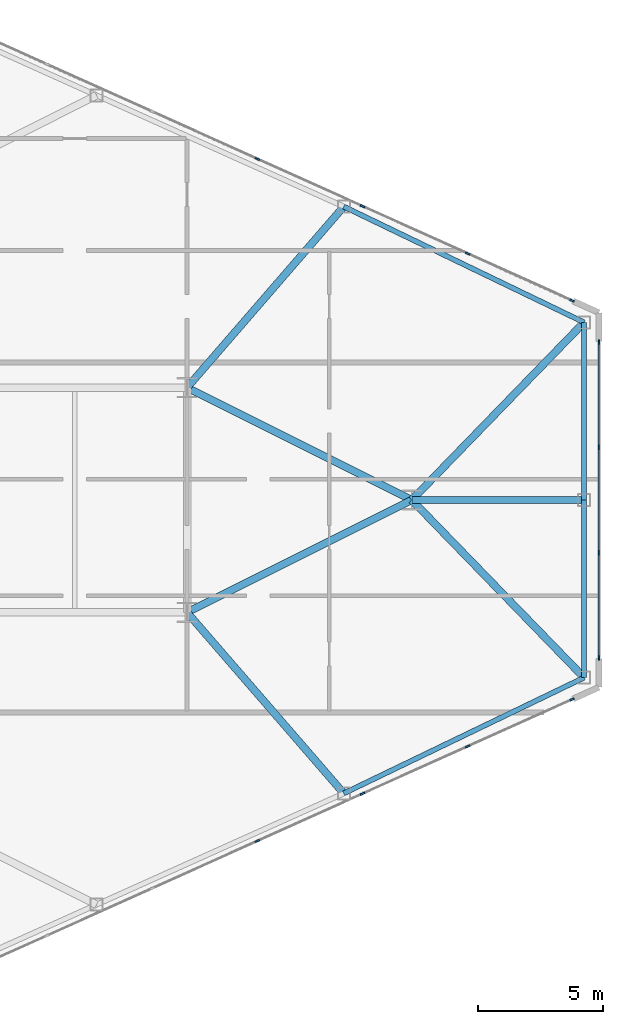
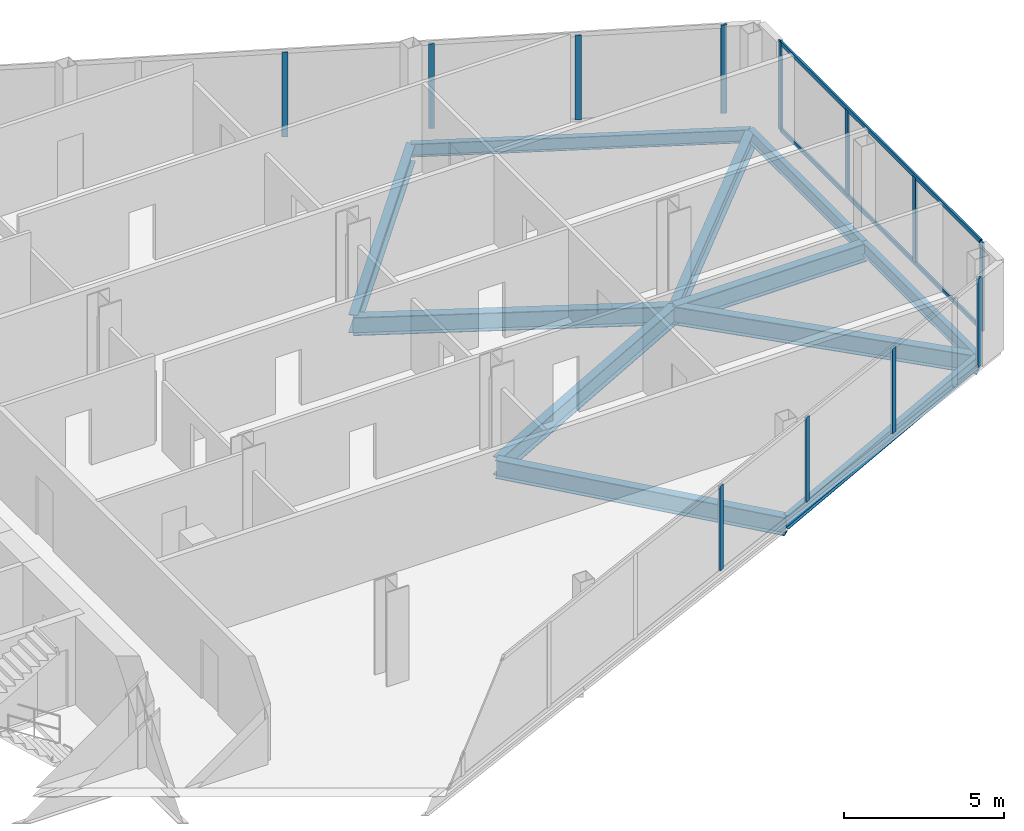
# One storey, part 16 of 27: 14 members, 11 beams, 3 elements without a shape of their own.
"""IFC4 building model written with IfcOpenShell, lengths in metres."""

from ifc_helpers import new_model, si_unit, direction, frame, origin, origin_2d, place, context, subcontext, project, spatial, rectangle, i_section, extrude, source, transform, mapped, material, layer, layer_set, material_profile, profile_set, type_object, type_shapes, element, aggregate, save


model = new_model("IFC4")

# Units and contexts
model_context = context("Model", 3, precision=1e-05, world=origin(), true_north=direction((0.0, 1.0)))
body_context = subcontext(model_context, "Body", "Model", "MODEL_VIEW")
ifc_project = project(units=[si_unit("LENGTHUNIT", "METRE"), si_unit("AREAUNIT", "SQUARE_METRE"), si_unit("VOLUMEUNIT", "CUBIC_METRE"), si_unit("PLANEANGLEUNIT", "RADIAN"), si_unit("MASSUNIT", "GRAM", prefix="KILO")], contexts=[model_context])

# Site, building, storey
site_placement = place(None, origin())
site = spatial("IfcSite", under=ifc_project, at=site_placement, CompositionType="ELEMENT")
building_placement = place(site_placement, origin())
building = spatial("IfcBuilding", under=site, at=building_placement, Name="Seokmaru Belvedere", CompositionType="ELEMENT")
storey_placement = place(building_placement, frame((0.0, 0.0, 76.5)))
storey = spatial("IfcBuildingStorey", under=building, at=storey_placement, Name="L20", CompositionType="ELEMENT", Elevation=76.5)

# Beams
ifc_material_1 = material(Name="Steel SM355 (355 MPa)", Category="steel")
ifc_material_profile_1 = material_profile(ifc_material_1, i_section(OverallWidth=0.300048828125, OverallDepth=0.699951171875, WebThickness=0.012939453125, FlangeThickness=0.02392578125, at=origin_2d()), Name="H-700x300x13x24")
ifc_profile_set_1 = profile_set([ifc_material_profile_1], Name="Steel SM355 (355 MPa)")
beam_type_1 = type_object("IfcBeamType", Name="Primary Floor Girder H-700", PredefinedType="BEAM", material=ifc_profile_set_1)
shared_shape_1 = source(origin(), body_context, "Body", "SweptSolid", [
    extrude(i_section(OverallWidth=0.300048828125, OverallDepth=0.699951171875, WebThickness=0.012939453125, FlangeThickness=0.02392578125, at=origin_2d()), origin(), (0.0, 0.0, 1.0), 10.062255859375),
])
for number, where, z_axis, x_axis, name in (
    (1, (54.5, -4.5, -0.570068359375), (0.894427191, 0.4472135955, 0.0), (-0.4472135955, 0.894427191, 0.0), "L20 E Apex Converging Girder 1"),
    (2, (54.5, 4.5, -0.570068359375), (0.894427191, -0.4472135955, 0.0), (0.4472135955, 0.894427191, 0.0), "L20 E Apex Converging Girder 2"),
):
    element("IfcBeam", number, at=place(storey_placement, frame(where, z_axis=z_axis, x_axis=x_axis)), inside=storey, type_object=beam_type_1, Name=name, PredefinedType="BEAM", context=body_context, shape_type="MappedRepresentation", body=[
        mapped(shared_shape_1, transform((0.0, 0.0, 0.0), scale=1.0)),
    ])
ifc_material_profile_2 = material_profile(ifc_material_1, i_section(OverallWidth=0.199951171875, OverallDepth=0.5, WebThickness=0.010009765625, FlangeThickness=0.01611328125, at=origin_2d()), Name="H-500x200x10x16")
ifc_profile_set_2 = profile_set([ifc_material_profile_2], Name="Steel SM355 (355 MPa)")
beam_type_2 = type_object("IfcBeamType", Name="Perimeter Spandrel Beam H-500", PredefinedType="SPANDREL", material=ifc_profile_set_2)
shared_shape_2 = source(origin(), body_context, "Body", "SweptSolid", [
    extrude(i_section(OverallWidth=0.199951171875, OverallDepth=0.5, WebThickness=0.010009765625, FlangeThickness=0.01611328125, at=origin_2d()), origin(), (0.0, 0.0, 1.0), 10.681396484375),
])
for number, where, z_axis, x_axis, name in (
    (3, (60.777587890625, -11.749267578125, -0.469970703125), (0.900846426616, 0.434137899352, 0.0), (-0.434137899352, 0.900846426616, 0.0), "L20 E Faceted Flank Spandrel S-4"),
    (4, (60.777587890625, 11.749267578125, -0.469970703125), (0.900846426616, -0.434137899352, 0.0), (0.434137899352, 0.900846426616, 0.0), "L20 E Faceted Flank Spandrel N-4"),
):
    element("IfcBeam", number, at=place(storey_placement, frame(where, z_axis=z_axis, x_axis=x_axis)), inside=storey, type_object=beam_type_2, Name=name, PredefinedType="SPANDREL", context=body_context, shape_type="MappedRepresentation", body=[
        mapped(shared_shape_2, transform((0.0, 0.0, 0.0), scale=1.0)),
    ])
shared_shape_3 = source(origin(), body_context, "Body", "SweptSolid", [
    extrude(i_section(OverallWidth=0.199951171875, OverallDepth=0.5, WebThickness=0.010009765625, FlangeThickness=0.01611328125, at=origin_2d()), origin(), (0.0, 0.0, 1.0), 7.112060546875),
])
type_shapes(beam_type_2, [shared_shape_2, shared_shape_3])
for number, where, z_axis, x_axis, name in (
    (5, (70.39990234375, -7.112060546875, -0.469970703125), (0.0, 1.0, 0.0), (-1.0, 0.0, 0.0), "L20 E Faceted Apex Spandrel S"),
    (6, (70.39990234375, 0.0, -0.469970703125), (0.0, 1.0, 0.0), (-1.0, 0.0, 0.0), "L20 E Faceted Apex Spandrel N"),
):
    element("IfcBeam", number, at=place(storey_placement, frame(where, z_axis=z_axis, x_axis=x_axis)), inside=storey, type_object=beam_type_2, Name=name, PredefinedType="SPANDREL", context=body_context, shape_type="MappedRepresentation", body=[
        mapped(shared_shape_3, transform((0.0, 0.0, 0.0), scale=1.0)),
    ])
shared_shape_4 = source(origin(), body_context, "Body", "SweptSolid", [
    extrude(i_section(OverallWidth=0.300048828125, OverallDepth=0.699951171875, WebThickness=0.012939453125, FlangeThickness=0.02392578125, at=origin_2d()), origin(), (0.0, 0.0, 1.0), 9.589599609375),
])
for number, where, z_axis, x_axis, name in (
    (7, (60.777587890625, -11.749267578125, -0.570068359375), (-0.654626140929, 0.755952786629, 0.0), (-0.755952786629, -0.654626140929, 0.0), "L20 E Flank Radial Floor Girder S-3"),
    (8, (60.777587890625, 11.749267578125, -0.570068359375), (-0.654626140929, -0.755952786629, 0.0), (0.755952786629, -0.654626140929, 0.0), "L20 E Flank Radial Floor Girder N-3"),
):
    element("IfcBeam", number, at=place(storey_placement, frame(where, z_axis=z_axis, x_axis=x_axis)), inside=storey, type_object=beam_type_1, Name=name, PredefinedType="BEAM", context=body_context, shape_type="MappedRepresentation", body=[
        mapped(shared_shape_4, transform((0.0, 0.0, 0.0), scale=1.0)),
    ])
shared_shape_5 = source(origin(), body_context, "Body", "SweptSolid", [
    extrude(i_section(OverallWidth=0.300048828125, OverallDepth=0.699951171875, WebThickness=0.012939453125, FlangeThickness=0.02392578125, at=origin_2d()), origin(), (0.0, 0.0, 1.0), 9.9091796875),
])
for number, where, z_axis, x_axis, name in (
    (9, (70.39990234375, -7.112060546875, -0.570068359375), (-0.6963205089, 0.717730972499, 0.0), (-0.717730972499, -0.6963205089, 0.0), "L20 E Apex Radial Floor Girder 1"),
    (10, (70.39990234375, 7.112060546875, -0.570068359375), (-0.6963205089, -0.717730972499, 0.0), (0.717730972499, -0.6963205089, 0.0), "L20 E Apex Radial Floor Girder 2"),
):
    element("IfcBeam", number, at=place(storey_placement, frame(where, z_axis=z_axis, x_axis=x_axis)), inside=storey, type_object=beam_type_1, Name=name, PredefinedType="BEAM", context=body_context, shape_type="MappedRepresentation", body=[
        mapped(shared_shape_5, transform((0.0, 0.0, 0.0), scale=1.0)),
    ])
shared_shape_6 = source(origin(), body_context, "Body", "SweptSolid", [
    extrude(i_section(OverallWidth=0.300048828125, OverallDepth=0.699951171875, WebThickness=0.012939453125, FlangeThickness=0.02392578125, at=origin_2d()), origin(), (0.0, 0.0, 1.0), 6.89990234375),
])
type_shapes(beam_type_1, [shared_shape_1, shared_shape_4, shared_shape_5, shared_shape_6])
beam_placement = place(storey_placement, frame((70.39990234375, 0.0, -0.570068359375), z_axis=(-1.0, 0.0, 0.0), x_axis=(0.0, -1.0, 0.0)))
element("IfcBeam", 11, at=beam_placement, inside=storey, type_object=beam_type_1, Name="L20 E Apex Center Radial Girder", PredefinedType="BEAM", context=body_context, shape_type="MappedRepresentation", body=[
    mapped(shared_shape_6, transform((0.0, 0.0, 0.0), scale=1.0)),
])

# Curtain wall, member
ifc_material_2 = material(Name="Bronze Triple Insulating Glass", Category="glass")
ifc_layer = layer(ifc_material_2, 0.195068359375)
ifc_layer_set = layer_set([ifc_layer], Name="Bronze Triple Insulating Glass")
curtain_wall_type = type_object("IfcCurtainWallType", Name="Lower-Mid Tapered Curtain Wall System CW-3", PredefinedType="NOTDEFINED", material=ifc_layer_set)
curtain_wall_1_placement = place(storey_placement, origin())
curtain_wall_1 = element("IfcCurtainWall", 12, at=curtain_wall_1_placement, inside=storey, type_object=curtain_wall_type, Name="L20 Curtain Wall EF1", PredefinedType="NOTDEFINED")
ifc_material_3 = material(Name="Anodised Bronze Aluminium", Category="aluminium")
ifc_material_profile_3 = material_profile(ifc_material_3, rectangle(XDim=0.070068359375, YDim=0.195068359375, at=origin_2d()), Name="CW-M-70x195")
ifc_profile_set_3 = profile_set([ifc_material_profile_3], Name="Anodised Bronze Aluminium")
member_type_1 = type_object("IfcMemberType", Name="Bronze Unitised Mullion 70x195", PredefinedType="MULLION", material=ifc_profile_set_3)
shared_shape_7 = source(origin(), body_context, "Body", "SweptSolid", [
    extrude(rectangle(XDim=0.070068359375, YDim=0.195068359375, at=origin_2d()), origin(), (0.0, 0.0, 1.0), 3.3798828125),
])
member_1_placement = place(storey_placement, frame((69.91943359375, -7.986328125, 0.0), z_axis=(0.0, 0.0, 1.0), x_axis=(-0.41036554765, 0.91192111353, 0.0)))
member_1 = element("IfcMember", 13, at=member_1_placement, type_object=member_type_1, Name="CW:L20:EF1 Mullion 10", PredefinedType="MULLION", context=body_context, shape_type="MappedRepresentation", body=[
    mapped(shared_shape_7, transform((0.0, 0.0, 0.0), scale=1.0)),
])

# Curtain wall, members
curtain_wall_2_placement = place(storey_placement, origin())
curtain_wall_2 = element("IfcCurtainWall", 14, at=curtain_wall_2_placement, inside=storey, type_object=curtain_wall_type, Name="L20 Curtain Wall EF2", PredefinedType="NOTDEFINED")
member_2_placement = place(storey_placement, frame((71.0, -6.31494140625, 0.0), z_axis=(0.0, 0.0, 1.0), x_axis=(-1.0, 0.0, 0.0)))
member_2 = element("IfcMember", 15, at=member_2_placement, type_object=member_type_1, Name="CW:L20:EF2 Mullion 1", PredefinedType="MULLION", context=body_context, shape_type="MappedRepresentation", body=[
    mapped(shared_shape_7, transform((0.0, 0.0, 0.0), scale=1.0)),
])
member_3_placement = place(storey_placement, frame((71.0, 6.31494140625, 0.0), z_axis=(0.0, 0.0, 1.0), x_axis=(-1.0, 0.0, 0.0)))
member_3 = element("IfcMember", 16, at=member_3_placement, type_object=member_type_1, Name="CW:L20:EF2 Mullion 4", PredefinedType="MULLION", context=body_context, shape_type="MappedRepresentation", body=[
    mapped(shared_shape_7, transform((0.0, 0.0, 0.0), scale=1.0)),
])

# Curtain wall, member
curtain_wall_3_placement = place(storey_placement, origin())
curtain_wall_3 = element("IfcCurtainWall", 17, at=curtain_wall_3_placement, inside=storey, type_object=curtain_wall_type, Name="L20 Curtain Wall EF3", PredefinedType="NOTDEFINED")
member_4_placement = place(storey_placement, frame((69.91943359375, 7.986328125, 0.0), z_axis=(0.0, 0.0, 1.0), x_axis=(-0.41036554765, -0.91192111353, 0.0)))
member_4 = element("IfcMember", 18, at=member_4_placement, type_object=member_type_1, Name="CW:L20:EF3 Mullion 1", PredefinedType="MULLION", context=body_context, shape_type="MappedRepresentation", body=[
    mapped(shared_shape_7, transform((0.0, 0.0, 0.0), scale=1.0)),
])

# Member
shared_shape_8 = source(origin(), body_context, "Body", "SweptSolid", [
    extrude(rectangle(XDim=0.070068359375, YDim=0.195068359375, at=origin_2d()), origin(), (0.0, 0.0, 1.0), 3.239990234375),
])
type_shapes(member_type_1, [shared_shape_7, shared_shape_8])
member_5_placement = place(storey_placement, frame((57.317138671875, -13.6572265625, 0.070068359375), z_axis=(0.0, 0.0, 1.0), x_axis=(-0.41036554765, 0.91192111353, 0.0)))
member_5 = element("IfcMember", 19, at=member_5_placement, type_object=member_type_1, Name="CW:L20:EF1 Mullion 7", PredefinedType="MULLION", context=body_context, shape_type="MappedRepresentation", body=[
    mapped(shared_shape_8, transform((0.0, 0.0, 0.0), scale=1.0)),
])

member_6_placement = place(storey_placement, frame((61.528564453125, -11.76220703125, 0.070068359375), z_axis=(0.0, 0.0, 1.0), x_axis=(-0.41036554765, 0.91192111353, 0.0)))
member_6 = element("IfcMember", 20, at=member_6_placement, type_object=member_type_1, Name="CW:L20:EF1 Mullion 8", PredefinedType="MULLION", context=body_context, shape_type="MappedRepresentation", body=[
    mapped(shared_shape_8, transform((0.0, 0.0, 0.0), scale=1.0)),
])

member_7_placement = place(storey_placement, frame((65.739990234375, -9.866943359375, 0.070068359375), z_axis=(0.0, 0.0, 1.0), x_axis=(-0.41036554765, 0.91192111353, 0.0)))
member_7 = element("IfcMember", 21, at=member_7_placement, type_object=member_type_1, Name="CW:L20:EF1 Mullion 9", PredefinedType="MULLION", context=body_context, shape_type="MappedRepresentation", body=[
    mapped(shared_shape_8, transform((0.0, 0.0, 0.0), scale=1.0)),
])

aggregate(curtain_wall_1, [member_5, member_6, member_7, member_1])

member_8_placement = place(storey_placement, frame((71.0, -2.11669921875, 0.070068359375), z_axis=(0.0, 0.0, 1.0), x_axis=(-1.0, 0.0, 0.0)))
member_8 = element("IfcMember", 22, at=member_8_placement, type_object=member_type_1, Name="CW:L20:EF2 Mullion 2", PredefinedType="MULLION", context=body_context, shape_type="MappedRepresentation", body=[
    mapped(shared_shape_8, transform((0.0, 0.0, 0.0), scale=1.0)),
])

member_9_placement = place(storey_placement, frame((71.0, 2.11669921875, 0.070068359375), z_axis=(0.0, 0.0, 1.0), x_axis=(-1.0, 0.0, 0.0)))
member_9 = element("IfcMember", 23, at=member_9_placement, type_object=member_type_1, Name="CW:L20:EF2 Mullion 3", PredefinedType="MULLION", context=body_context, shape_type="MappedRepresentation", body=[
    mapped(shared_shape_8, transform((0.0, 0.0, 0.0), scale=1.0)),
])

member_10_placement = place(storey_placement, frame((65.739990234375, 9.866943359375, 0.070068359375), z_axis=(0.0, 0.0, 1.0), x_axis=(-0.41036554765, -0.91192111353, 0.0)))
member_10 = element("IfcMember", 24, at=member_10_placement, type_object=member_type_1, Name="CW:L20:EF3 Mullion 2", PredefinedType="MULLION", context=body_context, shape_type="MappedRepresentation", body=[
    mapped(shared_shape_8, transform((0.0, 0.0, 0.0), scale=1.0)),
])

member_11_placement = place(storey_placement, frame((61.528564453125, 11.76220703125, 0.070068359375), z_axis=(0.0, 0.0, 1.0), x_axis=(-0.41036554765, -0.91192111353, 0.0)))
member_11 = element("IfcMember", 25, at=member_11_placement, type_object=member_type_1, Name="CW:L20:EF3 Mullion 3", PredefinedType="MULLION", context=body_context, shape_type="MappedRepresentation", body=[
    mapped(shared_shape_8, transform((0.0, 0.0, 0.0), scale=1.0)),
])

member_12_placement = place(storey_placement, frame((57.317138671875, 13.6572265625, 0.070068359375), z_axis=(0.0, 0.0, 1.0), x_axis=(-0.41036554765, -0.91192111353, 0.0)))
member_12 = element("IfcMember", 26, at=member_12_placement, type_object=member_type_1, Name="CW:L20:EF3 Mullion 4", PredefinedType="MULLION", context=body_context, shape_type="MappedRepresentation", body=[
    mapped(shared_shape_8, transform((0.0, 0.0, 0.0), scale=1.0)),
])

aggregate(curtain_wall_3, [member_4, member_10, member_11, member_12])

ifc_material_profile_4 = material_profile(ifc_material_3, rectangle(XDim=0.070068359375, YDim=0.1650390625, at=origin_2d()), Name="CW-T-70x165")
ifc_profile_set_4 = profile_set([ifc_material_profile_4], Name="Anodised Bronze Aluminium")
member_type_2 = type_object("IfcMemberType", Name="Bronze Unitised Transom 70x165", PredefinedType="USERDEFINED", material=ifc_profile_set_4)
shared_shape_9 = source(origin(), body_context, "Body", "SweptSolid", [
    extrude(rectangle(XDim=0.070068359375, YDim=0.1650390625, at=origin_2d()), origin(), (0.0, 0.0, 1.0), 12.56005859375),
])
type_shapes(member_type_2, [shared_shape_9])
member_13_placement = place(storey_placement, frame((71.0, -6.280029296875, 0.034912109375), z_axis=(0.0, 1.0, 0.0), x_axis=(-1.0, 0.0, 0.0)))
member_13 = element("IfcMember", 27, at=member_13_placement, type_object=member_type_2, Name="CW:L20:EF2 Continuous Transom 1", ObjectType="TRANSOM", PredefinedType="USERDEFINED", context=body_context, shape_type="MappedRepresentation", body=[
    mapped(shared_shape_9, transform((0.0, 0.0, 0.0), scale=1.0)),
])

member_14_placement = place(storey_placement, frame((71.0, -6.280029296875, 3.344970703125), z_axis=(0.0, 1.0, 0.0), x_axis=(-1.0, 0.0, 0.0)))
member_14 = element("IfcMember", 28, at=member_14_placement, type_object=member_type_2, Name="CW:L20:EF2 Continuous Transom 2", ObjectType="TRANSOM", PredefinedType="USERDEFINED", context=body_context, shape_type="MappedRepresentation", body=[
    mapped(shared_shape_9, transform((0.0, 0.0, 0.0), scale=1.0)),
])

aggregate(curtain_wall_2, [member_2, member_8, member_9, member_3, member_13, member_14])

save(model, "model.ifc")
